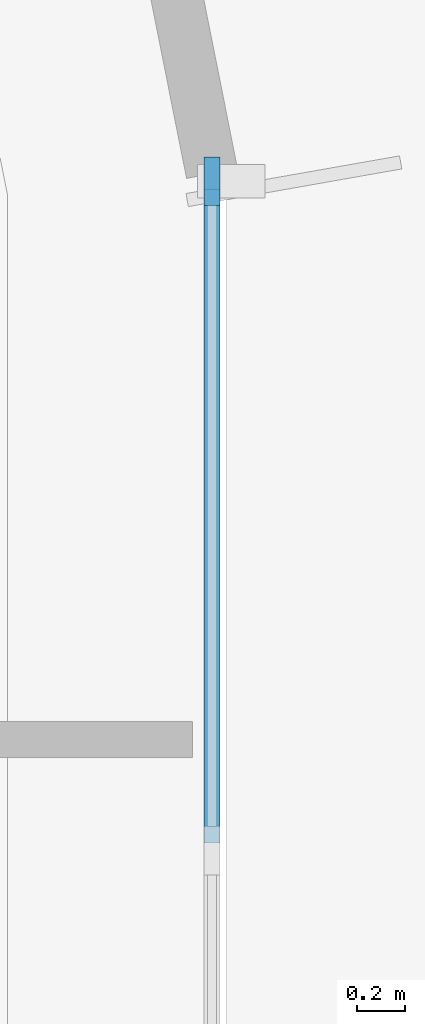
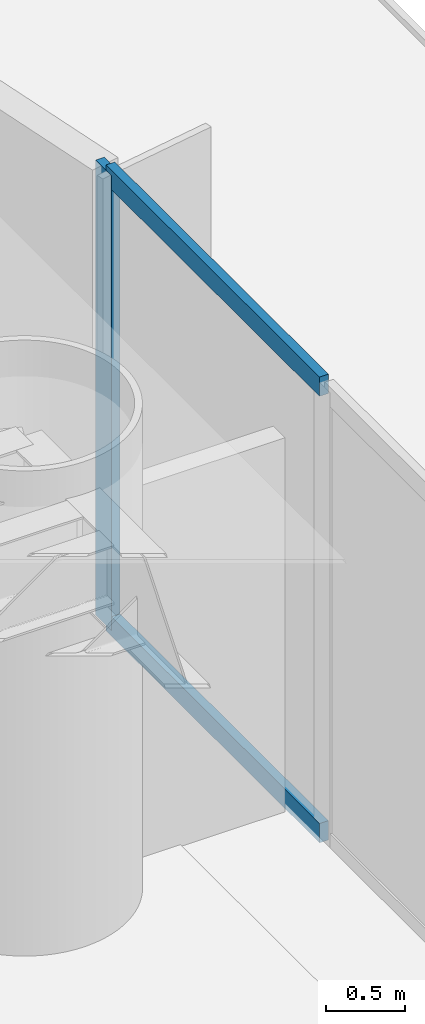
# One storey, part 6 of 17: 3 members, 1 element without a shape of its own.
"""IFC4 building model written with IfcOpenShell, lengths in metres."""

from ifc_helpers import new_model, si_unit, direction, frame, origin, origin_2d, place, context, subcontext, project, spatial, rectangle, extrude, source, transform, mapped, material, layer, layer_set, material_profile, profile_set, type_object, element, aggregate, save


model = new_model("IFC4")

# Units and contexts
model_context = context("Model", 3, precision=1e-05, world=origin(), true_north=direction((0.0, 1.0)))
body_context = subcontext(model_context, "Body", "Model", "MODEL_VIEW")
ifc_project = project(units=[si_unit("LENGTHUNIT", "METRE"), si_unit("AREAUNIT", "SQUARE_METRE"), si_unit("VOLUMEUNIT", "CUBIC_METRE"), si_unit("PLANEANGLEUNIT", "RADIAN"), si_unit("MASSUNIT", "GRAM", prefix="KILO")], contexts=[model_context])

# Site, building, storey
site_placement = place(None, origin())
site = spatial("IfcSite", under=ifc_project, at=site_placement, CompositionType="ELEMENT")
building_placement = place(site_placement, origin())
building = spatial("IfcBuilding", under=site, at=building_placement, Name="Brelvock Crest Care Tower", CompositionType="ELEMENT")
storey_placement = place(building_placement, frame((0.0, 0.0, 27.0)))
storey = spatial("IfcBuildingStorey", under=building, at=storey_placement, Name="L06", CompositionType="ELEMENT", Elevation=27.0)

# Curtain wall, members
ifc_material_1 = material(Name="Dark Glass Double Glazed Low-E", Category="glass")
ifc_layer = layer(ifc_material_1, 0.195068359375, Name="CWS-2")
ifc_layer_set = layer_set([ifc_layer], Name="Dark Glass Double Glazed Low-E")
curtain_wall_type = type_object("IfcCurtainWallType", Name="CWS-2", PredefinedType="NOTDEFINED", material=ifc_layer_set)
curtain_wall_placement = place(storey_placement, origin())
curtain_wall = element("IfcCurtainWall", 1, at=curtain_wall_placement, inside=storey, type_object=curtain_wall_type, Name="L06 Curtain Wall E03A", PredefinedType="NOTDEFINED")
ifc_material_2 = material(Name="Aluminium 6063-T6", Category="aluminium")
ifc_material_profile_1 = material_profile(ifc_material_2, rectangle(XDim=0.06494140625, YDim=0.199951171875, at=origin_2d()), Name="ALU65x200")
ifc_profile_set_1 = profile_set([ifc_material_profile_1], Name="Aluminium 6063-T6")
member_type_1 = type_object("IfcMemberType", Name="CWM-1", PredefinedType="MULLION", material=ifc_profile_set_1)
shared_shape_1 = source(origin(), body_context, "Body", "SweptSolid", [
    extrude(rectangle(XDim=0.06494140625, YDim=0.199951171875, at=origin_2d()), origin(), (0.0, 0.0, 1.0), 3.530029296875),
])
member_1_placement = place(storey_placement, frame((60.0, 32.767578125, 0.0), z_axis=(0.0, 0.0, 1.0), x_axis=(1.0, 0.0, 0.0)))
member_1 = element("IfcMember", 2, at=member_1_placement, type_object=member_type_1, Name="CW-2 mullion 1", PredefinedType="MULLION", context=body_context, shape_type="MappedRepresentation", body=[
    mapped(shared_shape_1, transform((0.0, 0.0, 0.0), x_axis=(1.0, 0.0, 0.0), y_axis=(0.0, 1.0, 0.0), z_axis=(0.0, 0.0, 1.0), scale=1.0)),
])
ifc_material_profile_2 = material_profile(ifc_material_2, rectangle(XDim=0.06494140625, YDim=0.14990234375, at=origin_2d()), Name="ALU65x150")
ifc_profile_set_2 = profile_set([ifc_material_profile_2], Name="Aluminium 6063-T6")
member_type_2 = type_object("IfcMemberType", Name="CWT-1", PredefinedType="USERDEFINED", material=ifc_profile_set_2)
shared_shape_2 = source(origin(), body_context, "Body", "SweptSolid", [
    extrude(rectangle(XDim=0.06494140625, YDim=0.14990234375, at=origin_2d()), origin(), (0.0, 0.0, 1.0), 2.714599609375),
])
member_2_placement = place(storey_placement, frame((60.0, 32.735107421875, 0.032470703125), z_axis=(0.0, -1.0, 0.0), x_axis=(1.0, 0.0, 0.0)))
member_2 = element("IfcMember", 3, at=member_2_placement, type_object=member_type_2, Name="CW-2 transom 1.1", ObjectType="TRANSOM", PredefinedType="USERDEFINED", context=body_context, shape_type="MappedRepresentation", body=[
    mapped(shared_shape_2, transform((0.0, 0.0, 0.0), x_axis=(1.0, 0.0, 0.0), y_axis=(0.0, 1.0, 0.0), z_axis=(0.0, 0.0, 1.0), scale=1.0)),
])
member_3_placement = place(storey_placement, frame((60.0, 32.735107421875, 3.49755859375), z_axis=(0.0, -1.0, 0.0), x_axis=(1.0, 0.0, 0.0)))
member_3 = element("IfcMember", 4, at=member_3_placement, type_object=member_type_2, Name="CW-2 transom 1.2", ObjectType="TRANSOM", PredefinedType="USERDEFINED", context=body_context, shape_type="MappedRepresentation", body=[
    mapped(shared_shape_2, transform((0.0, 0.0, 0.0), x_axis=(1.0, 0.0, 0.0), y_axis=(0.0, 1.0, 0.0), z_axis=(0.0, 0.0, 1.0), scale=1.0)),
])
aggregate(curtain_wall, [member_1, member_2, member_3])

save(model, "model.ifc")
